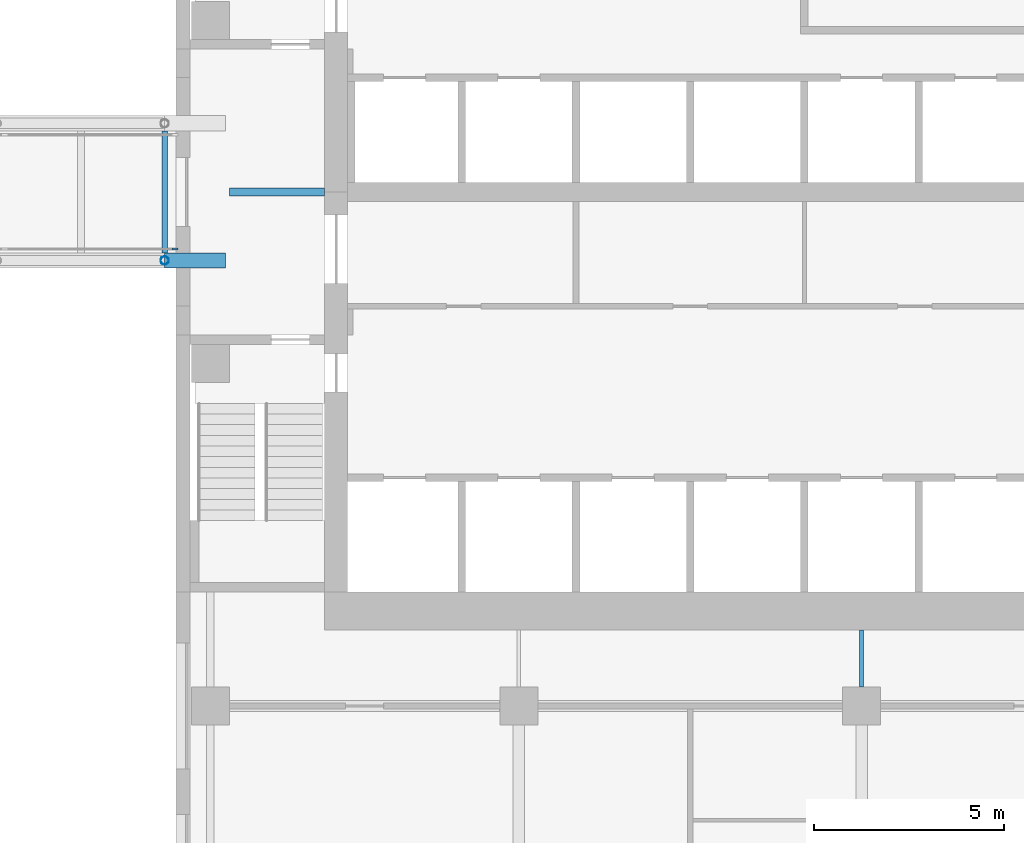
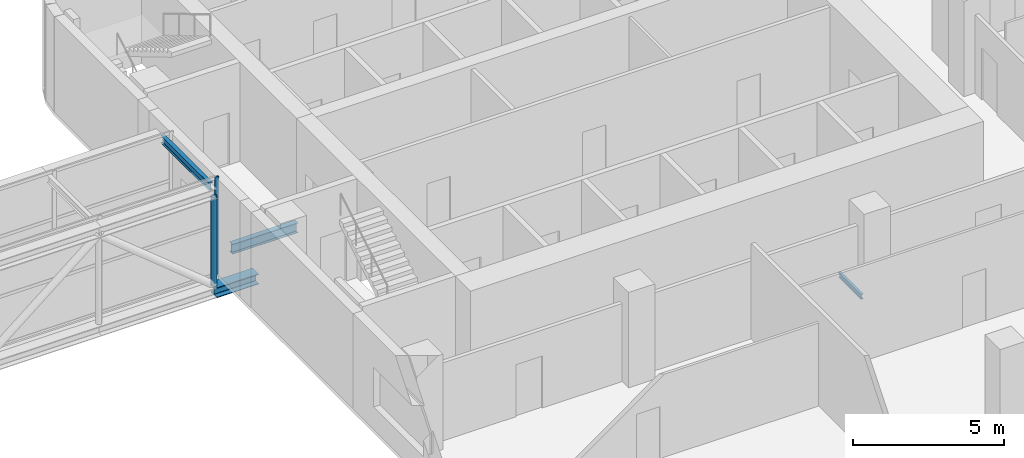
# One storey, part 10 of 24: 3 beams, 3 members, 1 element without a shape of its own.
"""IFC4 building model written with IfcOpenShell, lengths in metres."""

from ifc_helpers import new_model, si_unit, direction, frame, origin, origin_2d, place, context, subcontext, project, spatial, rectangle, hollow_circle, i_section, extrude, material, material_profile, profile_set, type_object, element, aggregate, save


model = new_model("IFC4")

# Units and contexts
model_context = context("Model", 3, precision=1e-05, world=origin(), true_north=direction((0.0, 1.0)))
body_context = subcontext(model_context, "Body", "Model", "MODEL_VIEW")
ifc_project = project(units=[si_unit("LENGTHUNIT", "METRE"), si_unit("AREAUNIT", "SQUARE_METRE"), si_unit("VOLUMEUNIT", "CUBIC_METRE"), si_unit("PLANEANGLEUNIT", "RADIAN"), si_unit("MASSUNIT", "GRAM", prefix="KILO")], contexts=[model_context])

# Site, building, storey
site_placement = place(None, origin())
site = spatial("IfcSite", under=ifc_project, at=site_placement, CompositionType="ELEMENT")
building_placement = place(site_placement, origin())
building = spatial("IfcBuilding", under=site, at=building_placement, Name="Cinnabar Reach Civic Tower", CompositionType="ELEMENT")
storey_placement = place(building_placement, frame((0.0, 0.0, 71.0)))
storey = spatial("IfcBuildingStorey", under=building, at=storey_placement, Name="L16", CompositionType="ELEMENT", Elevation=71.0)

# Curtain wall, member
ifc_material_1 = material(Name="Aluminium and insulated spandrel panels", Category="aluminium")
curtain_wall_type = type_object("IfcCurtainWallType", Name="Bridge 1 enclosure curtain wall", PredefinedType="NOTDEFINED", material=ifc_material_1)
curtain_wall_placement = place(storey_placement, origin())
curtain_wall = element("IfcCurtainWall", 1, at=curtain_wall_placement, inside=storey, type_object=curtain_wall_type, Name="Bridge 1 enclosure 3", PredefinedType="NOTDEFINED")
ifc_material_2 = material(Name="Aluminium", Category="aluminium")
ifc_material_profile_1 = material_profile(ifc_material_2, rectangle(XDim=0.06, YDim=0.16, at=origin_2d()), Name="Bridge 1 enclosure mullion")
ifc_profile_set_1 = profile_set([ifc_material_profile_1], Name="Aluminium")
member_type_1 = type_object("IfcMemberType", Name="Bridge 1 enclosure mullion", PredefinedType="MULLION", material=ifc_profile_set_1)
member_1_placement = place(storey_placement, frame((-0.03, 30.0, 0.0), z_axis=(0.0, 0.0, 1.0), x_axis=(0.0, 1.0, 0.0)))
member_1 = element("IfcMember", 2, at=member_1_placement, type_object=member_type_1, Name="CW-BR1-3 mullion 3", PredefinedType="MULLION", context=body_context, shape_type="SweptSolid", body=[
    extrude(rectangle(XDim=0.06, YDim=0.16, at=origin_2d()), origin(), (0.0, 0.0, 1.0), 3.95),
])
aggregate(curtain_wall, [member_1])

# Member
ifc_material_3 = material(Name="Steel Q355B", Category="steel")
ifc_material_profile_2 = material_profile(ifc_material_3, hollow_circle(Radius=0.1095, WallThickness=0.008, at=origin_2d()), Name="CHS219x8")
ifc_profile_set_2 = profile_set([ifc_material_profile_2], Name="Steel Q355B")
member_type_2 = type_object("IfcMemberType", Name="CHS219x8 bridge post", PredefinedType="POST", material=ifc_profile_set_2)
member_2_placement = place(storey_placement, frame((-0.3, 29.7, -0.15), z_axis=(0.0, 0.0, 1.0), x_axis=(1.0, 0.0, 0.0)))
element("IfcMember", 3, at=member_2_placement, inside=storey, type_object=member_type_2, Name="BR1 truss post", PredefinedType="POST", context=body_context, shape_type="SweptSolid", body=[
    extrude(hollow_circle(Radius=0.1095, WallThickness=0.008, at=origin_2d()), origin(), (0.0, 0.0, 1.0), 3.586),
])

# Beams
ifc_material_profile_3 = material_profile(ifc_material_3, i_section(OverallWidth=0.099, OverallDepth=0.198, WebThickness=0.0045, FlangeThickness=0.007, FilletRadius=0.013, at=origin_2d()), Name="HN200x100x5.5x8")
ifc_profile_set_3 = profile_set([ifc_material_profile_3], Name="Steel Q355B")
beam_type_1 = type_object("IfcBeamType", Name="HN200x100x5.5x8 beam R 180", PredefinedType="BEAM", material=ifc_profile_set_3)
beam_1_placement = place(storey_placement, frame((18.0, 18.502, -0.249), z_axis=(0.0, 1.0, 0.0), x_axis=(-1.0, 0.0, 0.0)))
element("IfcBeam", 4, at=beam_1_placement, inside=storey, type_object=beam_type_1, Name="Girder T1 L16 6", PredefinedType="BEAM", context=body_context, shape_type="SweptSolid", body=[
    extrude(i_section(OverallWidth=0.099, OverallDepth=0.198, WebThickness=0.0045, FlangeThickness=0.007, FilletRadius=0.013, at=origin_2d()), origin(), (0.0, 0.0, 1.0), 1.496),
])
ifc_material_profile_4 = material_profile(ifc_material_3, i_section(OverallWidth=0.15, OverallDepth=0.3, WebThickness=0.0065, FlangeThickness=0.009, FilletRadius=0.013, at=origin_2d()), Name="HN300x150x6.5x9")
ifc_profile_set_4 = profile_set([ifc_material_profile_4], Name="Steel Q355B")
beam_type_2 = type_object("IfcBeamType", Name="HN300x150x6.5x9 beam", PredefinedType="BEAM", material=ifc_profile_set_4)
beam_2_placement = place(storey_placement, frame((-0.3, 29.9025, 3.7), z_axis=(0.0, 1.0, 0.0), x_axis=(-1.0, 0.0, 0.0)))
element("IfcBeam", 5, at=beam_2_placement, inside=storey, type_object=beam_type_2, Name="BR1 top bracing beam", PredefinedType="BEAM", context=body_context, shape_type="SweptSolid", body=[
    extrude(i_section(OverallWidth=0.15, OverallDepth=0.3, WebThickness=0.0065, FlangeThickness=0.009, FilletRadius=0.013, at=origin_2d()), origin(), (0.0, 0.0, 1.0), 3.195),
])
ifc_material_profile_5 = material_profile(ifc_material_3, i_section(OverallWidth=0.2, OverallDepth=0.4, WebThickness=0.008, FlangeThickness=0.013, FilletRadius=0.016, at=origin_2d()), Name="HN400x200x8x13")
ifc_profile_set_5 = profile_set([ifc_material_profile_5], Name="Steel Q355B")
beam_type_3 = type_object("IfcBeamType", Name="HN400x200x8x13 beam R 180", PredefinedType="BEAM", material=ifc_profile_set_5)
beam_3_placement = place(storey_placement, frame((1.402, 31.5, -0.35), z_axis=(1.0, 0.0, 0.0), x_axis=(0.0, 1.0, 0.0)))
element("IfcBeam", 6, at=beam_3_placement, inside=storey, type_object=beam_type_3, Name="Secondary beam T1 L16 19", PredefinedType="BEAM", context=body_context, shape_type="SweptSolid", body=[
    extrude(i_section(OverallWidth=0.2, OverallDepth=0.4, WebThickness=0.008, FlangeThickness=0.013, FilletRadius=0.016, at=origin_2d()), origin(), (0.0, 0.0, 1.0), 2.496),
])

# Member
ifc_material_profile_6 = material_profile(ifc_material_3, i_section(OverallWidth=0.405, OverallDepth=0.414, WebThickness=0.018, FlangeThickness=0.028, FilletRadius=0.016, at=origin_2d()), Name="HW414x405x18x28")
ifc_profile_set_6 = profile_set([ifc_material_profile_6], Name="Steel Q355B")
member_type_3 = type_object("IfcMemberType", Name="HW414x405x18x28 bridge chord", PredefinedType="CHORD", material=ifc_profile_set_6)
member_3_placement = place(storey_placement, frame((-0.3, 29.7, -0.357), z_axis=(1.0, 0.0, 0.0), x_axis=(0.0, 1.0, 0.0)))
element("IfcMember", 7, at=member_3_placement, inside=storey, type_object=member_type_3, Name="BR1 truss bottom chord", PredefinedType="CHORD", context=body_context, shape_type="SweptSolid", body=[
    extrude(i_section(OverallWidth=0.405, OverallDepth=0.414, WebThickness=0.018, FlangeThickness=0.028, FilletRadius=0.016, at=origin_2d()), origin(), (0.0, 0.0, 1.0), 1.6),
])

save(model, "model.ifc")
